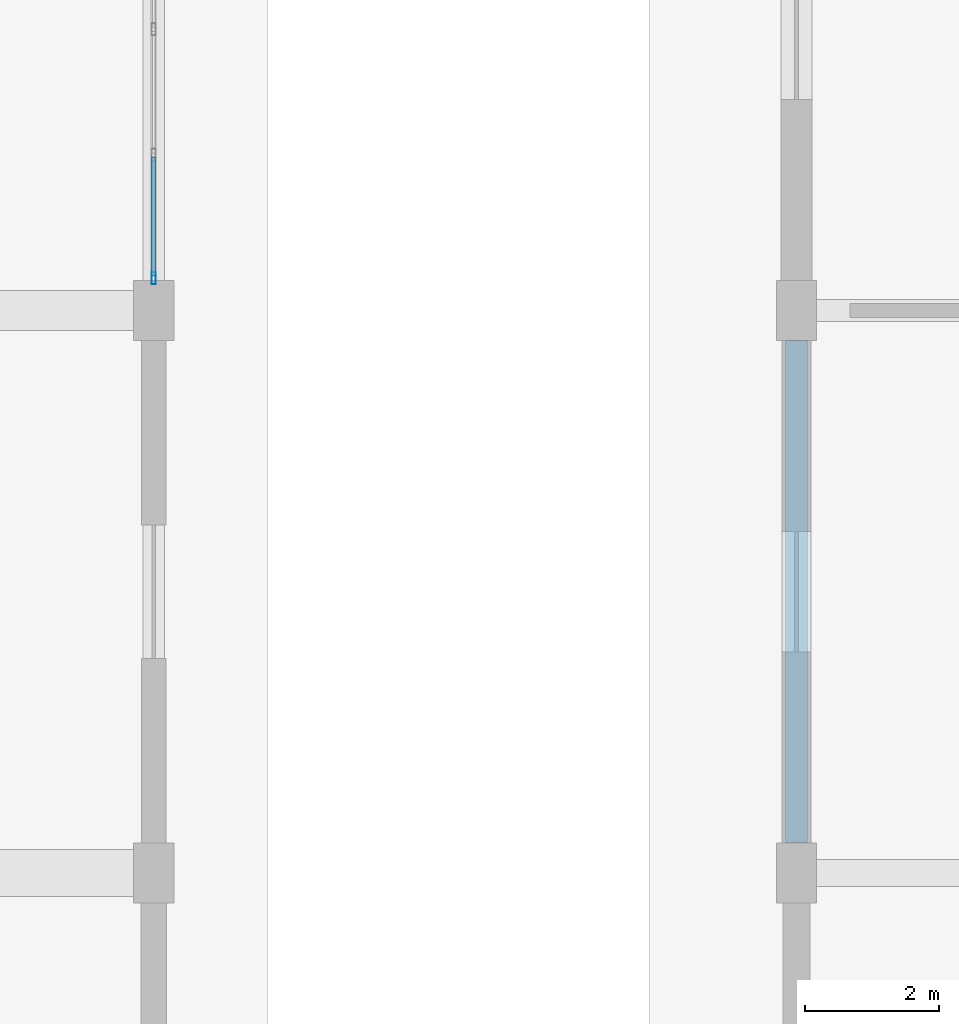
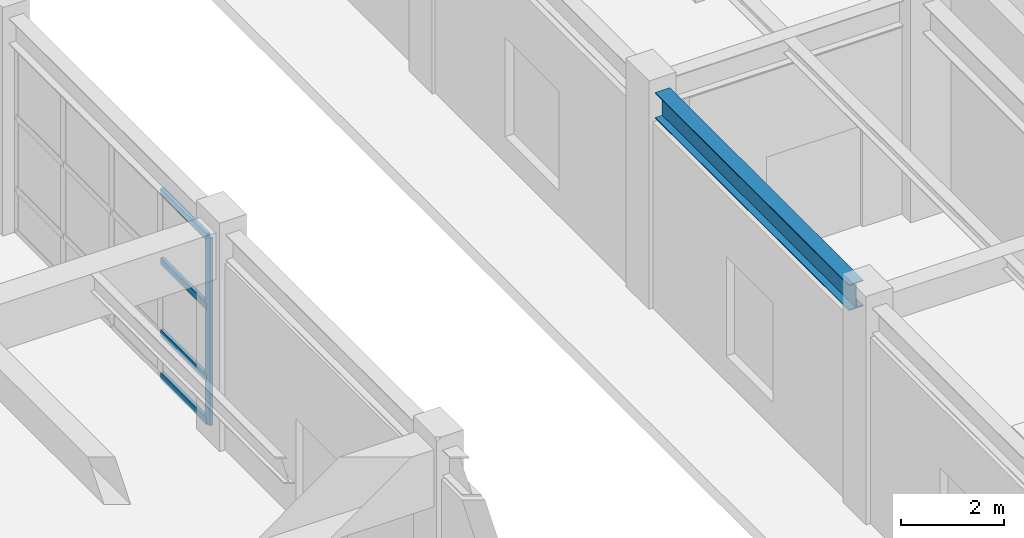
# One storey, part 38 of 91: 5 members, 1 beam, 1 element without a shape of its own.
"""IFC4 building model written with IfcOpenShell, lengths in metres."""

from ifc_helpers import new_model, si_unit, direction, frame, origin, origin_2d, place, context, subcontext, project, spatial, hollow_rectangle, i_section, extrude, material, layer, layer_set, material_profile, profile_set, type_object, element, aggregate, save


model = new_model("IFC4")

# Units and contexts
model_context = context("Model", 3, precision=1e-05, world=origin(), true_north=direction((0.0, 1.0)))
body_context = subcontext(model_context, "Body", "Model", "MODEL_VIEW")
ifc_project = project(units=[si_unit("LENGTHUNIT", "METRE"), si_unit("AREAUNIT", "SQUARE_METRE"), si_unit("VOLUMEUNIT", "CUBIC_METRE"), si_unit("PLANEANGLEUNIT", "RADIAN"), si_unit("MASSUNIT", "GRAM", prefix="KILO")], contexts=[model_context])

# Site, building, storey
site_placement = place(None, origin())
site = spatial("IfcSite", under=ifc_project, at=site_placement, CompositionType="ELEMENT")
building_placement = place(site_placement, origin())
building = spatial("IfcBuilding", under=site, at=building_placement, Name="Vaelkrest Opera House", CompositionType="ELEMENT")
storey_placement = place(building_placement, origin())
storey = spatial("IfcBuildingStorey", under=building, at=storey_placement, Name="L00", CompositionType="ELEMENT", Elevation=0.0)

# Curtain wall, members
ifc_material_1 = material(Name="Dark bronze anodized aluminium", Category="aluminium")
ifc_layer = layer(ifc_material_1, 0.219970703125)
ifc_layer_set = layer_set([ifc_layer], Name="Dark bronze anodized aluminium")
curtain_wall_type = type_object("IfcCurtainWallType", Name="CW05", PredefinedType="NOTDEFINED", material=ifc_layer_set)
curtain_wall_placement = place(storey_placement, origin())
curtain_wall = element("IfcCurtainWall", 1, at=curtain_wall_placement, inside=storey, type_object=curtain_wall_type, Name="Curtain wall CW-L00-096", PredefinedType="NOTDEFINED")
ifc_material_profile_1 = material_profile(ifc_material_1, hollow_rectangle(XDim=0.06494140625, YDim=0.179931640625, WallThickness=0.00390625, at=origin_2d()), Name="CWM65X180")
ifc_profile_set_1 = profile_set([ifc_material_profile_1], Name="Dark bronze anodized aluminium")
member_type_1 = type_object("IfcMemberType", Name="CWM01", PredefinedType="MULLION", material=ifc_profile_set_1)
member_1_placement = place(storey_placement, frame((-33.60009765625, 34.08056640625, 0.0), z_axis=(0.0, 0.0, 1.0), x_axis=(1.0, 0.0, 0.0)))
member_1 = element("IfcMember", 2, at=member_1_placement, type_object=member_type_1, Name="CW05 mullion 5", PredefinedType="MULLION", context=body_context, shape_type="SweptSolid", body=[
    extrude(hollow_rectangle(XDim=0.06494140625, YDim=0.179931640625, WallThickness=0.00390625, at=origin_2d()), origin(), (0.0, 0.0, 1.0), 4.428955078125),
])
ifc_material_profile_2 = material_profile(ifc_material_1, hollow_rectangle(XDim=0.074951171875, YDim=0.159912109375, WallThickness=0.00439453125, at=origin_2d()), Name="CWT75X160")
ifc_profile_set_2 = profile_set([ifc_material_profile_2], Name="Dark bronze anodized aluminium")
member_type_2 = type_object("IfcMemberType", Name="CWT03", PredefinedType="USERDEFINED", material=ifc_profile_set_2)
member_2_placement = place(storey_placement, frame((-33.60009765625, 35.8916015625, 0.03759765625), z_axis=(0.0, -1.0, 0.0), x_axis=(1.0, 0.0, 0.0)))
member_2 = element("IfcMember", 3, at=member_2_placement, type_object=member_type_2, Name="CW05 transom 4.1", ObjectType="TRANSOM", PredefinedType="USERDEFINED", context=body_context, shape_type="SweptSolid", body=[
    extrude(hollow_rectangle(XDim=0.074951171875, YDim=0.159912109375, WallThickness=0.00439453125, at=origin_2d()), origin(), (0.0, 0.0, 1.0), 1.778564453125),
])
member_3_placement = place(storey_placement, frame((-33.60009765625, 35.8916015625, 1.050048828125), z_axis=(0.0, -1.0, 0.0), x_axis=(1.0, 0.0, 0.0)))
member_3 = element("IfcMember", 4, at=member_3_placement, type_object=member_type_2, Name="CW05 transom 4.2", ObjectType="TRANSOM", PredefinedType="USERDEFINED", context=body_context, shape_type="SweptSolid", body=[
    extrude(hollow_rectangle(XDim=0.074951171875, YDim=0.159912109375, WallThickness=0.00439453125, at=origin_2d()), origin(), (0.0, 0.0, 1.0), 1.778564453125),
])
member_4_placement = place(storey_placement, frame((-33.60009765625, 35.8916015625, 2.75), z_axis=(0.0, -1.0, 0.0), x_axis=(1.0, 0.0, 0.0)))
member_4 = element("IfcMember", 5, at=member_4_placement, type_object=member_type_2, Name="CW05 transom 4.3", ObjectType="TRANSOM", PredefinedType="USERDEFINED", context=body_context, shape_type="SweptSolid", body=[
    extrude(hollow_rectangle(XDim=0.074951171875, YDim=0.159912109375, WallThickness=0.00439453125, at=origin_2d()), origin(), (0.0, 0.0, 1.0), 1.778564453125),
])
member_5_placement = place(storey_placement, frame((-33.60009765625, 35.8916015625, 4.3916015625), z_axis=(0.0, -1.0, 0.0), x_axis=(1.0, 0.0, 0.0)))
member_5 = element("IfcMember", 6, at=member_5_placement, type_object=member_type_2, Name="CW05 transom 4.4", ObjectType="TRANSOM", PredefinedType="USERDEFINED", context=body_context, shape_type="SweptSolid", body=[
    extrude(hollow_rectangle(XDim=0.074951171875, YDim=0.159912109375, WallThickness=0.00439453125, at=origin_2d()), origin(), (0.0, 0.0, 1.0), 1.778564453125),
])
aggregate(curtain_wall, [member_1, member_2, member_3, member_4, member_5])

# Beam
ifc_material_2 = material(Name="Steel A992 Gr50", Category="steel")
ifc_material_profile_3 = material_profile(ifc_material_2, i_section(OverallWidth=0.323974609375, OverallDepth=0.611083984375, WebThickness=0.0126953125, FlangeThickness=0.01904296875, at=origin_2d()), Name="W24X104")
ifc_profile_set_3 = profile_set([ifc_material_profile_3], Name="Steel A992 Gr50")
beam_type = type_object("IfcBeamType", Name="SP01", PredefinedType="SPANDREL", material=ifc_profile_set_3)
beam_placement = place(storey_placement, frame((-24.0, 25.64990234375, 4.7744140625), z_axis=(0.0, 1.0, 0.0), x_axis=(-1.0, 0.0, 0.0)))
element("IfcBeam", 7, at=beam_placement, inside=storey, type_object=beam_type, Name="Beam BM-V2-L00-0796", PredefinedType="SPANDREL", context=body_context, shape_type="SweptSolid", body=[
    extrude(i_section(OverallWidth=0.323974609375, OverallDepth=0.611083984375, WebThickness=0.0126953125, FlangeThickness=0.01904296875, at=origin_2d()), origin(), (0.0, 0.0, 1.0), 7.5),
])

save(model, "model.ifc")
